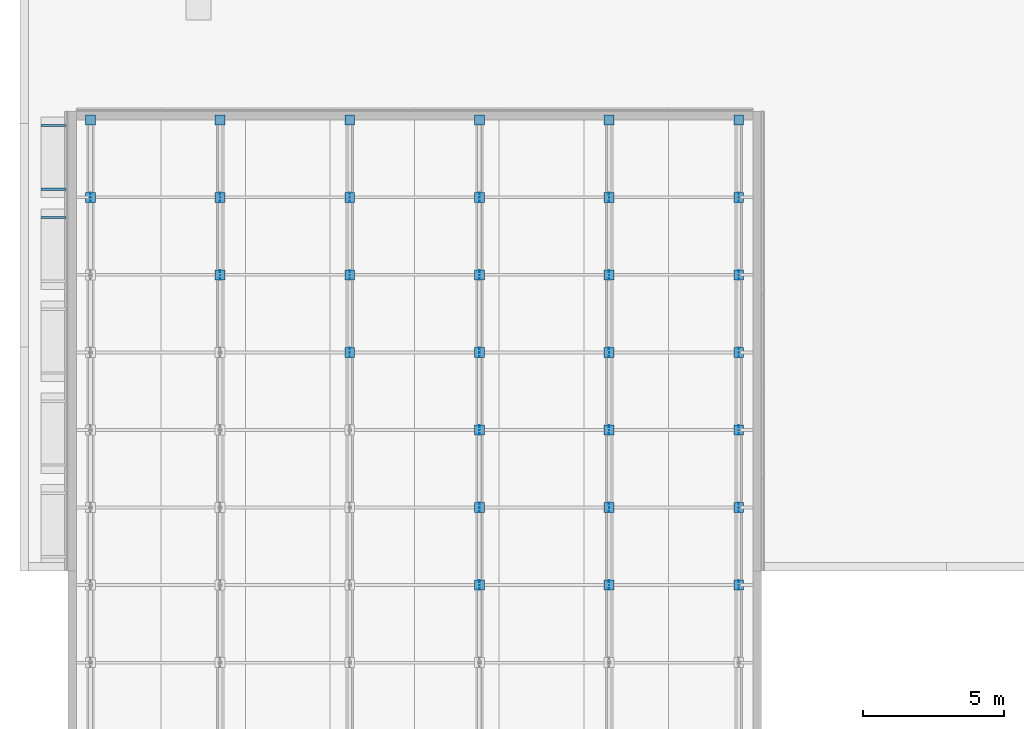
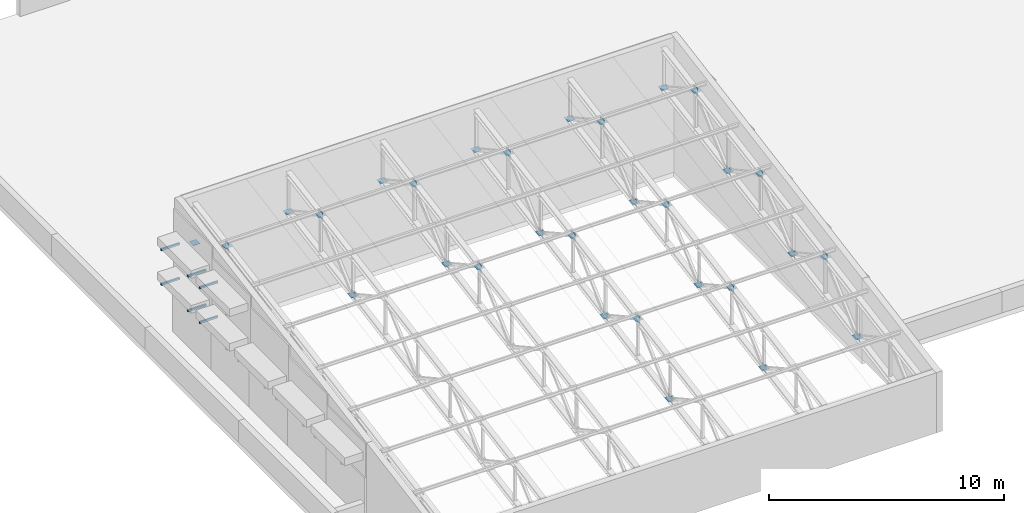
# One storey, part 16 of 22: 60 discrete accessories.
"""IFC4 building model written with IfcOpenShell, lengths in metres."""

import ifcopenshell
import ifcopenshell.guid

model = None  # the IFC model being written
_history = None  # IfcOwnerHistory: only IFC2X3 demands one
_inside = {}  # id of a spatial element -> (the spatial element, [elements in it])
_under = {}  # id of a project, library or spatial element -> (it, [spatial elements below it])
_declared = {}  # id of a project -> (the project, [libraries it declares])
_typed = {}  # id of a type object -> (the type object, [elements of that type])
_made_of = {}  # id of a material, layer set ... -> (it, [elements and type objects made of it])


def new_model(schema):
    """Start an empty IFC model of exactly this schema.

    Asked for "IFC4X3", IfcOpenShell would pick the latest addendum, in which some entities
    have other attributes; the version numbers below select the first issue.
    IFC2X3 requires an IfcOwnerHistory on every rooted entity: one is made here for all.
    """
    global model, _history
    if schema == "IFC4X3":
        model = ifcopenshell.file(schema_version=(4, 3, 0, 0))
    else:
        model = ifcopenshell.file(schema=schema)
    _inside.clear()
    _under.clear()
    _declared.clear()
    _typed.clear()
    _made_of.clear()
    _history = None
    if model.schema == "IFC2X3":
        org = make("IfcOrganization", Name="unknown")
        user = make(
            "IfcPersonAndOrganization",
            ThePerson=make("IfcPerson", FamilyName="unknown"),
            TheOrganization=org,
        )
        app = make(
            "IfcApplication",
            ApplicationDeveloper=org,
            Version="unknown",
            ApplicationFullName="unknown",
            ApplicationIdentifier="unknown",
        )
        _history = make(
            "IfcOwnerHistory",
            OwningUser=user,
            OwningApplication=app,
            ChangeAction="ADDED",
            CreationDate=0,
        )
    return model


def make(cls, **values):
    """One entity of the class cls with the attributes given. An attribute that is None is left unset."""
    return model.create_entity(
        cls, **{name: value for name, value in values.items() if value is not None}
    )


def rooted(cls, **values):
    """An entity with a GlobalId (a new one), such as an element, a storey or a relation."""
    return make(cls, GlobalId=ifcopenshell.guid.new(), OwnerHistory=_history, **values)


def si_unit(unit_type, name, prefix=None):
    """IfcSIUnit, for example si_unit("LENGTHUNIT", "METRE", prefix="MILLI")."""
    return make("IfcSIUnit", UnitType=unit_type, Prefix=prefix, Name=name)


def assignment(units):
    """IfcUnitAssignment: the units of a project."""
    return None if units is None else make("IfcUnitAssignment", Units=units)


def point(xyz):
    """IfcCartesianPoint."""
    return None if xyz is None else make("IfcCartesianPoint", Coordinates=xyz)


def direction(xyz):
    """IfcDirection."""
    return None if xyz is None else make("IfcDirection", DirectionRatios=xyz)


def frame(location, z_axis=None, x_axis=None):
    """IfcAxis2Placement3D, a coordinate frame: its origin and axes. An axis left out is left unset."""
    return make(
        "IfcAxis2Placement3D",
        Location=point(location),
        Axis=direction(z_axis),
        RefDirection=direction(x_axis),
    )


def frame_2d(location, x_axis=None):
    """IfcAxis2Placement2D, a coordinate frame in the plane: its origin and x axis."""
    return make(
        "IfcAxis2Placement2D", Location=point(location), RefDirection=direction(x_axis)
    )


def origin():
    """The frame at (0, 0, 0) with its axes left unset."""
    return frame((0.0, 0.0, 0.0))


def origin_2d():
    """The frame at (0, 0) in the plane with its x axis left unset."""
    return frame_2d((0.0, 0.0))


def place(relative_to, where):
    """IfcLocalPlacement: puts the frame where relative to a parent placement (None: the world)."""
    return make(
        "IfcLocalPlacement", PlacementRelTo=relative_to, RelativePlacement=where
    )


def context(
    kind, dimensions, precision=None, world=None, true_north=None, identifier=None
):
    """IfcGeometricRepresentationContext, for example the 3D "Model" context."""
    return make(
        "IfcGeometricRepresentationContext",
        ContextIdentifier=identifier,
        ContextType=kind,
        CoordinateSpaceDimension=dimensions,
        Precision=precision,
        WorldCoordinateSystem=world,
        TrueNorth=true_north,
    )


def subcontext(parent, identifier, kind, view, scale=None):
    """IfcGeometricRepresentationSubContext, for example "Body" below "Model"."""
    return make(
        "IfcGeometricRepresentationSubContext",
        ContextIdentifier=identifier,
        ContextType=kind,
        ParentContext=parent,
        TargetScale=scale,
        TargetView=view,
    )


def project(units=None, contexts=None):
    """IfcProject with its units and contexts."""
    return rooted(
        "IfcProject",
        Name="project",
        RepresentationContexts=contexts,
        UnitsInContext=assignment(units),
    )


def spatial(cls, under=None, at=None, **own):
    """A site, building, storey or space (cls), placed at a placement, below another one or the project."""
    s = rooted(cls, ObjectPlacement=at, **own)
    if under is not None:
        _under.setdefault(under.id(), (under, []))[1].append(s)
    return s


def profile(cls, at=None, kind="AREA", **sizes):
    """A parametric profile (cls). Its sizes go by their IFC names, for example OverallWidth=200.0."""
    return make(cls, ProfileType=kind, Position=at, **sizes)


def rectangle(**sizes):
    """IfcRectangleProfileDef."""
    return profile("IfcRectangleProfileDef", **sizes)


def extrude(swept, where, along, depth):
    """IfcExtrudedAreaSolid: the profile swept, set in the frame where, extruded along a direction by depth."""
    return make(
        "IfcExtrudedAreaSolid",
        SweptArea=swept,
        Position=where,
        ExtrudedDirection=direction(along),
        Depth=depth,
    )


def shape(context_of_items, identifier, shape_type, items):
    """IfcShapeRepresentation: the items that make up one representation, for example the "Body"."""
    return make(
        "IfcShapeRepresentation",
        ContextOfItems=context_of_items,
        RepresentationIdentifier=identifier,
        RepresentationType=shape_type,
        Items=items,
    )


def material(Name=None, Category=None):
    """IfcMaterial."""
    return make("IfcMaterial", Name=Name, Category=Category)


def layer(
    of_material, thickness, ventilated=None, Name=None, Category=None, Priority=None
):
    """IfcMaterialLayer: one layer of a wall or slab, of a material (None: an air gap)."""
    return make(
        "IfcMaterialLayer",
        Material=of_material,
        LayerThickness=thickness,
        IsVentilated=ventilated,
        Name=Name,
        Category=Category,
        Priority=Priority,
    )


def layer_set(layers, Name=None):
    """IfcMaterialLayerSet."""
    return make("IfcMaterialLayerSet", MaterialLayers=layers, LayerSetName=Name)


def made_of(thing, what):
    """Note that an element or type object is made of a material, layer set ...; save() writes the relation."""
    if what is not None:
        _made_of.setdefault(what.id(), (what, []))[1].append(thing)
    return thing


def type_object(cls, material=None, **own):
    """A type object (cls), such as IfcWallType, which elements share."""
    return made_of(rooted(cls, **own), material)


def element(
    cls,
    number,
    at=None,
    inside=None,
    cuts=None,
    type_object=None,
    material=None,
    context=None,
    identifier="Body",
    shape_type=None,
    held_by="IfcProductDefinitionShape",
    body=None,
    shapes=None,
    **own,
):
    """One element of the class cls, such as IfcWall. Its Tag is "e" and its number.

    at: its placement. inside: the storey or other place that contains it. cuts: it is an
    opening in that element (IfcRelVoidsElement). A single representation is given by context,
    identifier, shape_type and body (its items); several are given by shapes. held_by: the class
    of the entity that holds the representations. save() writes the other relations.
    """
    e = rooted(cls, Tag="e%d" % number, ObjectPlacement=at, **own)
    if body is not None:
        shapes = [shape(context, identifier, shape_type, body)]
    if shapes is not None:
        e.Representation = make(held_by, Representations=shapes)
    if inside is not None:
        _inside.setdefault(inside.id(), (inside, []))[1].append(e)
    if cuts is not None:
        rooted(
            "IfcRelVoidsElement", RelatingBuildingElement=cuts, RelatedOpeningElement=e
        )
    if type_object is not None:
        _typed.setdefault(type_object.id(), (type_object, []))[1].append(e)
    return made_of(e, material)


def aggregate(whole, parts):
    """IfcRelAggregates: a whole, such as a stair, and the parts it consists of."""
    return rooted("IfcRelAggregates", RelatingObject=whole, RelatedObjects=parts)


def save(model, path):
    """Write the relations noted so far, then the file.

    IfcRelAggregates (storeys below a building ...), IfcRelContainedInSpatialStructure (elements
    in a storey), IfcRelDefinesByType, IfcRelAssociatesMaterial and IfcRelDeclares: one each for
    every whole, place, type object, material and project.
    """
    for whole, parts in _under.values():
        aggregate(whole, parts)
    for where, things in _inside.values():
        rooted(
            "IfcRelContainedInSpatialStructure",
            RelatedElements=things,
            RelatingStructure=where,
        )
    for kind, things in _typed.values():
        rooted("IfcRelDefinesByType", RelatedObjects=things, RelatingType=kind)
    for what, things in _made_of.values():
        rooted("IfcRelAssociatesMaterial", RelatedObjects=things, RelatingMaterial=what)
    for by, libraries in _declared.values():
        rooted("IfcRelDeclares", RelatingContext=by, RelatedDefinitions=libraries)
    model.write(path)


model = new_model("IFC4")

# Units and contexts
model_context = context("Model", 3, precision=1e-05, world=origin(), true_north=direction((0.0, 1.0)))
body_context = subcontext(model_context, "Body", "Model", "MODEL_VIEW")
ifc_project = project(units=[si_unit("LENGTHUNIT", "METRE"), si_unit("AREAUNIT", "SQUARE_METRE"), si_unit("VOLUMEUNIT", "CUBIC_METRE"), si_unit("PLANEANGLEUNIT", "RADIAN"), si_unit("MASSUNIT", "GRAM", prefix="KILO")], contexts=[model_context])

# Site, building, storey
site_placement = place(None, origin())
site = spatial("IfcSite", under=ifc_project, at=site_placement, CompositionType="ELEMENT")
building_placement = place(site_placement, origin())
building = spatial("IfcBuilding", under=site, at=building_placement, Name="Lunette Opera House", CompositionType="ELEMENT")
storey_placement = place(building_placement, frame((0.0, 0.0, 28.0)))
storey = spatial("IfcBuildingStorey", under=building, at=storey_placement, Name="L05", CompositionType="ELEMENT", Elevation=28.0)

# Discrete accessories
ifc_material_1 = material(Name="Steel S355", Category="steel")
ifc_layer = layer(ifc_material_1, 0.011962890625)
ifc_layer_set = layer_set([ifc_layer], Name="Steel S355")
discrete_accessory_type_1 = type_object("IfcDiscreteAccessoryType", Name="BRACE GUSSET PLATE 12", PredefinedType="USERDEFINED", material=ifc_layer_set)
discrete_accessory_1_placement = place(storey_placement, frame((10.5, 85.25, 5.9140625), z_axis=(0.0, 0.0, 1.0), x_axis=(0.0, 1.0, 0.0)))
element("IfcDiscreteAccessory", 1, at=discrete_accessory_1_placement, inside=storey, type_object=discrete_accessory_type_1, Name="Gusset plate 363", ObjectType="GUSSET PLATE", PredefinedType="USERDEFINED", context=body_context, shape_type="SweptSolid", body=[
    extrude(rectangle(XDim=0.35009765625, YDim=0.011962890625, at=origin_2d()), origin(), (0.0, 0.0, 1.0), 0.35009765625),
])
for number, where, z_axis, x_axis, name in (
    (2, (10.5, 85.25, 6.0830078125), (0.0, 0.0, 1.0), (0.0, 1.0, 0.0), "Gusset plate 364"),
    (3, (10.5, 88.0, 4.56787109375), (0.0, 0.0, 1.0), (0.0, 1.0, 0.0), "Gusset plate 365"),
    (4, (15.10009765625, 82.5, 3.59814453125), (0.0, 0.0, 1.0), (0.0, 1.0, 0.0), "Gusset plate 377"),
):
    element("IfcDiscreteAccessory", number, at=place(storey_placement, frame(where, z_axis=z_axis, x_axis=x_axis)), inside=storey, type_object=discrete_accessory_type_1, Name=name, ObjectType="GUSSET PLATE", PredefinedType="USERDEFINED", context=body_context, shape_type="SweptSolid", body=[
        extrude(rectangle(XDim=0.35009765625, YDim=0.35009765625, at=origin_2d()), origin(), (0.0, 0.0, 1.0), 0.011962890625),
    ])
for number, where, z_axis, x_axis, name in (
    (5, (15.10009765625, 82.5, 3.428955078125), (0.0, 0.0, 1.0), (0.0, 1.0, 0.0), "Gusset plate 378"),
    (6, (15.10009765625, 85.25, 5.9140625), (0.0, 0.0, 1.0), (0.0, 1.0, 0.0), "Gusset plate 379"),
):
    element("IfcDiscreteAccessory", number, at=place(storey_placement, frame(where, z_axis=z_axis, x_axis=x_axis)), inside=storey, type_object=discrete_accessory_type_1, Name=name, ObjectType="GUSSET PLATE", PredefinedType="USERDEFINED", context=body_context, shape_type="SweptSolid", body=[
        extrude(rectangle(XDim=0.35009765625, YDim=0.011962890625, at=origin_2d()), origin(), (0.0, 0.0, 1.0), 0.35009765625),
    ])
for number, where, z_axis, x_axis, name in (
    (7, (15.10009765625, 85.25, 6.0830078125), (0.0, 0.0, 1.0), (0.0, 1.0, 0.0), "Gusset plate 380"),
    (8, (15.10009765625, 88.0, 4.56787109375), (0.0, 0.0, 1.0), (0.0, 1.0, 0.0), "Gusset plate 381"),
):
    element("IfcDiscreteAccessory", number, at=place(storey_placement, frame(where, z_axis=z_axis, x_axis=x_axis)), inside=storey, type_object=discrete_accessory_type_1, Name=name, ObjectType="GUSSET PLATE", PredefinedType="USERDEFINED", context=body_context, shape_type="SweptSolid", body=[
        extrude(rectangle(XDim=0.35009765625, YDim=0.35009765625, at=origin_2d()), origin(), (0.0, 0.0, 1.0), 0.011962890625),
    ])
discrete_accessory_2_placement = place(storey_placement, frame((19.699951171875, 79.75, 4.94384765625), z_axis=(0.0, 0.0, 1.0), x_axis=(0.0, 1.0, 0.0)))
element("IfcDiscreteAccessory", 9, at=discrete_accessory_2_placement, inside=storey, type_object=discrete_accessory_type_1, Name="Gusset plate 391", ObjectType="GUSSET PLATE", PredefinedType="USERDEFINED", context=body_context, shape_type="SweptSolid", body=[
    extrude(rectangle(XDim=0.35009765625, YDim=0.011962890625, at=origin_2d()), origin(), (0.0, 0.0, 1.0), 0.35009765625),
])
for number, where, z_axis, x_axis, name in (
    (10, (19.699951171875, 79.75, 5.11279296875), (0.0, 0.0, 1.0), (0.0, 1.0, 0.0), "Gusset plate 392"),
    (11, (19.699951171875, 82.5, 3.59814453125), (0.0, 0.0, 1.0), (0.0, 1.0, 0.0), "Gusset plate 393"),
):
    element("IfcDiscreteAccessory", number, at=place(storey_placement, frame(where, z_axis=z_axis, x_axis=x_axis)), inside=storey, type_object=discrete_accessory_type_1, Name=name, ObjectType="GUSSET PLATE", PredefinedType="USERDEFINED", context=body_context, shape_type="SweptSolid", body=[
        extrude(rectangle(XDim=0.35009765625, YDim=0.35009765625, at=origin_2d()), origin(), (0.0, 0.0, 1.0), 0.011962890625),
    ])
for number, where, z_axis, x_axis, name in (
    (12, (19.699951171875, 82.5, 3.428955078125), (0.0, 0.0, 1.0), (0.0, 1.0, 0.0), "Gusset plate 394"),
    (13, (19.699951171875, 85.25, 5.9140625), (0.0, 0.0, 1.0), (0.0, 1.0, 0.0), "Gusset plate 395"),
):
    element("IfcDiscreteAccessory", number, at=place(storey_placement, frame(where, z_axis=z_axis, x_axis=x_axis)), inside=storey, type_object=discrete_accessory_type_1, Name=name, ObjectType="GUSSET PLATE", PredefinedType="USERDEFINED", context=body_context, shape_type="SweptSolid", body=[
        extrude(rectangle(XDim=0.35009765625, YDim=0.011962890625, at=origin_2d()), origin(), (0.0, 0.0, 1.0), 0.35009765625),
    ])
for number, where, z_axis, x_axis, name in (
    (14, (19.699951171875, 85.25, 6.0830078125), (0.0, 0.0, 1.0), (0.0, 1.0, 0.0), "Gusset plate 396"),
    (15, (19.699951171875, 88.0, 4.56787109375), (0.0, 0.0, 1.0), (0.0, 1.0, 0.0), "Gusset plate 397"),
    (16, (24.300048828125, 71.5, 1.6591796875), (0.0, 0.0, 1.0), (0.0, 1.0, 0.0), "Gusset plate 401"),
):
    element("IfcDiscreteAccessory", number, at=place(storey_placement, frame(where, z_axis=z_axis, x_axis=x_axis)), inside=storey, type_object=discrete_accessory_type_1, Name=name, ObjectType="GUSSET PLATE", PredefinedType="USERDEFINED", context=body_context, shape_type="SweptSolid", body=[
        extrude(rectangle(XDim=0.35009765625, YDim=0.35009765625, at=origin_2d()), origin(), (0.0, 0.0, 1.0), 0.011962890625),
    ])
for number, where, z_axis, x_axis, name in (
    (17, (24.300048828125, 71.5, 1.489990234375), (0.0, 0.0, 1.0), (0.0, 1.0, 0.0), "Gusset plate 402"),
    (18, (24.300048828125, 74.25, 3.974853515625), (0.0, 0.0, 1.0), (0.0, 1.0, 0.0), "Gusset plate 403"),
):
    element("IfcDiscreteAccessory", number, at=place(storey_placement, frame(where, z_axis=z_axis, x_axis=x_axis)), inside=storey, type_object=discrete_accessory_type_1, Name=name, ObjectType="GUSSET PLATE", PredefinedType="USERDEFINED", context=body_context, shape_type="SweptSolid", body=[
        extrude(rectangle(XDim=0.35009765625, YDim=0.011962890625, at=origin_2d()), origin(), (0.0, 0.0, 1.0), 0.35009765625),
    ])
for number, where, z_axis, x_axis, name in (
    (19, (24.300048828125, 74.25, 4.14404296875), (0.0, 0.0, 1.0), (0.0, 1.0, 0.0), "Gusset plate 404"),
    (20, (24.300048828125, 77.0, 2.62890625), (0.0, 0.0, 1.0), (0.0, 1.0, 0.0), "Gusset plate 405"),
):
    element("IfcDiscreteAccessory", number, at=place(storey_placement, frame(where, z_axis=z_axis, x_axis=x_axis)), inside=storey, type_object=discrete_accessory_type_1, Name=name, ObjectType="GUSSET PLATE", PredefinedType="USERDEFINED", context=body_context, shape_type="SweptSolid", body=[
        extrude(rectangle(XDim=0.35009765625, YDim=0.35009765625, at=origin_2d()), origin(), (0.0, 0.0, 1.0), 0.011962890625),
    ])
for number, where, z_axis, x_axis, name in (
    (21, (24.300048828125, 77.0, 2.4599609375), (0.0, 0.0, 1.0), (0.0, 1.0, 0.0), "Gusset plate 406"),
    (22, (24.300048828125, 79.75, 4.94384765625), (0.0, 0.0, 1.0), (0.0, 1.0, 0.0), "Gusset plate 407"),
):
    element("IfcDiscreteAccessory", number, at=place(storey_placement, frame(where, z_axis=z_axis, x_axis=x_axis)), inside=storey, type_object=discrete_accessory_type_1, Name=name, ObjectType="GUSSET PLATE", PredefinedType="USERDEFINED", context=body_context, shape_type="SweptSolid", body=[
        extrude(rectangle(XDim=0.35009765625, YDim=0.011962890625, at=origin_2d()), origin(), (0.0, 0.0, 1.0), 0.35009765625),
    ])
for number, where, z_axis, x_axis, name in (
    (23, (24.300048828125, 79.75, 5.11279296875), (0.0, 0.0, 1.0), (0.0, 1.0, 0.0), "Gusset plate 408"),
    (24, (24.300048828125, 82.5, 3.59814453125), (0.0, 0.0, 1.0), (0.0, 1.0, 0.0), "Gusset plate 409"),
):
    element("IfcDiscreteAccessory", number, at=place(storey_placement, frame(where, z_axis=z_axis, x_axis=x_axis)), inside=storey, type_object=discrete_accessory_type_1, Name=name, ObjectType="GUSSET PLATE", PredefinedType="USERDEFINED", context=body_context, shape_type="SweptSolid", body=[
        extrude(rectangle(XDim=0.35009765625, YDim=0.35009765625, at=origin_2d()), origin(), (0.0, 0.0, 1.0), 0.011962890625),
    ])
for number, where, z_axis, x_axis, name in (
    (25, (24.300048828125, 82.5, 3.428955078125), (0.0, 0.0, 1.0), (0.0, 1.0, 0.0), "Gusset plate 410"),
    (26, (24.300048828125, 85.25, 5.9140625), (0.0, 0.0, 1.0), (0.0, 1.0, 0.0), "Gusset plate 411"),
):
    element("IfcDiscreteAccessory", number, at=place(storey_placement, frame(where, z_axis=z_axis, x_axis=x_axis)), inside=storey, type_object=discrete_accessory_type_1, Name=name, ObjectType="GUSSET PLATE", PredefinedType="USERDEFINED", context=body_context, shape_type="SweptSolid", body=[
        extrude(rectangle(XDim=0.35009765625, YDim=0.011962890625, at=origin_2d()), origin(), (0.0, 0.0, 1.0), 0.35009765625),
    ])
for number, where, z_axis, x_axis, name in (
    (27, (24.300048828125, 85.25, 6.0830078125), (0.0, 0.0, 1.0), (0.0, 1.0, 0.0), "Gusset plate 412"),
    (28, (24.300048828125, 88.0, 4.56787109375), (0.0, 0.0, 1.0), (0.0, 1.0, 0.0), "Gusset plate 413"),
    (29, (28.89990234375, 71.5, 1.6591796875), (0.0, 0.0, 1.0), (0.0, 1.0, 0.0), "Gusset plate 417"),
):
    element("IfcDiscreteAccessory", number, at=place(storey_placement, frame(where, z_axis=z_axis, x_axis=x_axis)), inside=storey, type_object=discrete_accessory_type_1, Name=name, ObjectType="GUSSET PLATE", PredefinedType="USERDEFINED", context=body_context, shape_type="SweptSolid", body=[
        extrude(rectangle(XDim=0.35009765625, YDim=0.35009765625, at=origin_2d()), origin(), (0.0, 0.0, 1.0), 0.011962890625),
    ])
for number, where, z_axis, x_axis, name in (
    (30, (28.89990234375, 71.5, 1.489990234375), (0.0, 0.0, 1.0), (0.0, 1.0, 0.0), "Gusset plate 418"),
    (31, (28.89990234375, 74.25, 3.974853515625), (0.0, 0.0, 1.0), (0.0, 1.0, 0.0), "Gusset plate 419"),
):
    element("IfcDiscreteAccessory", number, at=place(storey_placement, frame(where, z_axis=z_axis, x_axis=x_axis)), inside=storey, type_object=discrete_accessory_type_1, Name=name, ObjectType="GUSSET PLATE", PredefinedType="USERDEFINED", context=body_context, shape_type="SweptSolid", body=[
        extrude(rectangle(XDim=0.35009765625, YDim=0.011962890625, at=origin_2d()), origin(), (0.0, 0.0, 1.0), 0.35009765625),
    ])
for number, where, z_axis, x_axis, name in (
    (32, (28.89990234375, 74.25, 4.14404296875), (0.0, 0.0, 1.0), (0.0, 1.0, 0.0), "Gusset plate 420"),
    (33, (28.89990234375, 77.0, 2.62890625), (0.0, 0.0, 1.0), (0.0, 1.0, 0.0), "Gusset plate 421"),
):
    element("IfcDiscreteAccessory", number, at=place(storey_placement, frame(where, z_axis=z_axis, x_axis=x_axis)), inside=storey, type_object=discrete_accessory_type_1, Name=name, ObjectType="GUSSET PLATE", PredefinedType="USERDEFINED", context=body_context, shape_type="SweptSolid", body=[
        extrude(rectangle(XDim=0.35009765625, YDim=0.35009765625, at=origin_2d()), origin(), (0.0, 0.0, 1.0), 0.011962890625),
    ])
for number, where, z_axis, x_axis, name in (
    (34, (28.89990234375, 77.0, 2.4599609375), (0.0, 0.0, 1.0), (0.0, 1.0, 0.0), "Gusset plate 422"),
    (35, (28.89990234375, 79.75, 4.94384765625), (0.0, 0.0, 1.0), (0.0, 1.0, 0.0), "Gusset plate 423"),
):
    element("IfcDiscreteAccessory", number, at=place(storey_placement, frame(where, z_axis=z_axis, x_axis=x_axis)), inside=storey, type_object=discrete_accessory_type_1, Name=name, ObjectType="GUSSET PLATE", PredefinedType="USERDEFINED", context=body_context, shape_type="SweptSolid", body=[
        extrude(rectangle(XDim=0.35009765625, YDim=0.011962890625, at=origin_2d()), origin(), (0.0, 0.0, 1.0), 0.35009765625),
    ])
for number, where, z_axis, x_axis, name in (
    (36, (28.89990234375, 79.75, 5.11279296875), (0.0, 0.0, 1.0), (0.0, 1.0, 0.0), "Gusset plate 424"),
    (37, (28.89990234375, 82.5, 3.59814453125), (0.0, 0.0, 1.0), (0.0, 1.0, 0.0), "Gusset plate 425"),
):
    element("IfcDiscreteAccessory", number, at=place(storey_placement, frame(where, z_axis=z_axis, x_axis=x_axis)), inside=storey, type_object=discrete_accessory_type_1, Name=name, ObjectType="GUSSET PLATE", PredefinedType="USERDEFINED", context=body_context, shape_type="SweptSolid", body=[
        extrude(rectangle(XDim=0.35009765625, YDim=0.35009765625, at=origin_2d()), origin(), (0.0, 0.0, 1.0), 0.011962890625),
    ])
for number, where, z_axis, x_axis, name in (
    (38, (28.89990234375, 82.5, 3.428955078125), (0.0, 0.0, 1.0), (0.0, 1.0, 0.0), "Gusset plate 426"),
    (39, (28.89990234375, 85.25, 5.9140625), (0.0, 0.0, 1.0), (0.0, 1.0, 0.0), "Gusset plate 427"),
):
    element("IfcDiscreteAccessory", number, at=place(storey_placement, frame(where, z_axis=z_axis, x_axis=x_axis)), inside=storey, type_object=discrete_accessory_type_1, Name=name, ObjectType="GUSSET PLATE", PredefinedType="USERDEFINED", context=body_context, shape_type="SweptSolid", body=[
        extrude(rectangle(XDim=0.35009765625, YDim=0.011962890625, at=origin_2d()), origin(), (0.0, 0.0, 1.0), 0.35009765625),
    ])
for number, where, z_axis, x_axis, name in (
    (40, (28.89990234375, 85.25, 6.0830078125), (0.0, 0.0, 1.0), (0.0, 1.0, 0.0), "Gusset plate 428"),
    (41, (28.89990234375, 88.0, 4.56787109375), (0.0, 0.0, 1.0), (0.0, 1.0, 0.0), "Gusset plate 429"),
    (42, (33.5, 71.5, 1.6591796875), (0.0, 0.0, 1.0), (0.0, 1.0, 0.0), "Gusset plate 433"),
):
    element("IfcDiscreteAccessory", number, at=place(storey_placement, frame(where, z_axis=z_axis, x_axis=x_axis)), inside=storey, type_object=discrete_accessory_type_1, Name=name, ObjectType="GUSSET PLATE", PredefinedType="USERDEFINED", context=body_context, shape_type="SweptSolid", body=[
        extrude(rectangle(XDim=0.35009765625, YDim=0.35009765625, at=origin_2d()), origin(), (0.0, 0.0, 1.0), 0.011962890625),
    ])
for number, where, z_axis, x_axis, name in (
    (43, (33.5, 71.5, 1.489990234375), (0.0, 0.0, 1.0), (0.0, 1.0, 0.0), "Gusset plate 434"),
    (44, (33.5, 74.25, 3.974853515625), (0.0, 0.0, 1.0), (0.0, 1.0, 0.0), "Gusset plate 435"),
):
    element("IfcDiscreteAccessory", number, at=place(storey_placement, frame(where, z_axis=z_axis, x_axis=x_axis)), inside=storey, type_object=discrete_accessory_type_1, Name=name, ObjectType="GUSSET PLATE", PredefinedType="USERDEFINED", context=body_context, shape_type="SweptSolid", body=[
        extrude(rectangle(XDim=0.35009765625, YDim=0.011962890625, at=origin_2d()), origin(), (0.0, 0.0, 1.0), 0.35009765625),
    ])
for number, where, z_axis, x_axis, name in (
    (45, (33.5, 74.25, 4.14404296875), (0.0, 0.0, 1.0), (0.0, 1.0, 0.0), "Gusset plate 436"),
    (46, (33.5, 77.0, 2.62890625), (0.0, 0.0, 1.0), (0.0, 1.0, 0.0), "Gusset plate 437"),
):
    element("IfcDiscreteAccessory", number, at=place(storey_placement, frame(where, z_axis=z_axis, x_axis=x_axis)), inside=storey, type_object=discrete_accessory_type_1, Name=name, ObjectType="GUSSET PLATE", PredefinedType="USERDEFINED", context=body_context, shape_type="SweptSolid", body=[
        extrude(rectangle(XDim=0.35009765625, YDim=0.35009765625, at=origin_2d()), origin(), (0.0, 0.0, 1.0), 0.011962890625),
    ])
for number, where, z_axis, x_axis, name in (
    (47, (33.5, 77.0, 2.4599609375), (0.0, 0.0, 1.0), (0.0, 1.0, 0.0), "Gusset plate 438"),
    (48, (33.5, 79.75, 4.94384765625), (0.0, 0.0, 1.0), (0.0, 1.0, 0.0), "Gusset plate 439"),
):
    element("IfcDiscreteAccessory", number, at=place(storey_placement, frame(where, z_axis=z_axis, x_axis=x_axis)), inside=storey, type_object=discrete_accessory_type_1, Name=name, ObjectType="GUSSET PLATE", PredefinedType="USERDEFINED", context=body_context, shape_type="SweptSolid", body=[
        extrude(rectangle(XDim=0.35009765625, YDim=0.011962890625, at=origin_2d()), origin(), (0.0, 0.0, 1.0), 0.35009765625),
    ])
for number, where, z_axis, x_axis, name in (
    (49, (33.5, 79.75, 5.11279296875), (0.0, 0.0, 1.0), (0.0, 1.0, 0.0), "Gusset plate 440"),
    (50, (33.5, 82.5, 3.59814453125), (0.0, 0.0, 1.0), (0.0, 1.0, 0.0), "Gusset plate 441"),
):
    element("IfcDiscreteAccessory", number, at=place(storey_placement, frame(where, z_axis=z_axis, x_axis=x_axis)), inside=storey, type_object=discrete_accessory_type_1, Name=name, ObjectType="GUSSET PLATE", PredefinedType="USERDEFINED", context=body_context, shape_type="SweptSolid", body=[
        extrude(rectangle(XDim=0.35009765625, YDim=0.35009765625, at=origin_2d()), origin(), (0.0, 0.0, 1.0), 0.011962890625),
    ])
for number, where, z_axis, x_axis, name in (
    (51, (33.5, 82.5, 3.428955078125), (0.0, 0.0, 1.0), (0.0, 1.0, 0.0), "Gusset plate 442"),
    (52, (33.5, 85.25, 5.9140625), (0.0, 0.0, 1.0), (0.0, 1.0, 0.0), "Gusset plate 443"),
):
    element("IfcDiscreteAccessory", number, at=place(storey_placement, frame(where, z_axis=z_axis, x_axis=x_axis)), inside=storey, type_object=discrete_accessory_type_1, Name=name, ObjectType="GUSSET PLATE", PredefinedType="USERDEFINED", context=body_context, shape_type="SweptSolid", body=[
        extrude(rectangle(XDim=0.35009765625, YDim=0.011962890625, at=origin_2d()), origin(), (0.0, 0.0, 1.0), 0.35009765625),
    ])
for number, where, z_axis, x_axis, name in (
    (53, (33.5, 85.25, 6.0830078125), (0.0, 0.0, 1.0), (0.0, 1.0, 0.0), "Gusset plate 444"),
    (54, (33.5, 88.0, 4.56787109375), (0.0, 0.0, 1.0), (0.0, 1.0, 0.0), "Gusset plate 445"),
):
    element("IfcDiscreteAccessory", number, at=place(storey_placement, frame(where, z_axis=z_axis, x_axis=x_axis)), inside=storey, type_object=discrete_accessory_type_1, Name=name, ObjectType="GUSSET PLATE", PredefinedType="USERDEFINED", context=body_context, shape_type="SweptSolid", body=[
        extrude(rectangle(XDim=0.35009765625, YDim=0.35009765625, at=origin_2d()), origin(), (0.0, 0.0, 1.0), 0.011962890625),
    ])
ifc_material_2 = material(Name="Galvanised steel", Category="steel")
discrete_accessory_type_2 = type_object("IfcDiscreteAccessoryType", Name="FIN BRACKET STEEL", PredefinedType="BRACKET", material=ifc_material_2)
for number, where, z_axis, x_axis, name in (
    (55, (9.18994140625, 84.5400390625, 3.099853515625), (0.0, 0.0, 1.0), (-1.0, 0.0, 0.0), "Blade bracket loft W3 3 2"),
    (56, (9.18994140625, 84.5400390625, 4.89990234375), (0.0, 0.0, 1.0), (-1.0, 0.0, 0.0), "Blade bracket loft W3 3 2"),
    (57, (9.18994140625, 85.5400390625, 3.099853515625), (0.0, 0.0, 1.0), (-1.0, 0.0, 0.0), "Blade bracket loft W3 4 1"),
    (58, (9.18994140625, 87.800048828125, 3.099853515625), (0.0, 0.0, 1.0), (-1.0, 0.0, 0.0), "Blade bracket loft W3 4 2"),
    (59, (9.18994140625, 85.5400390625, 4.89990234375), (0.0, 0.0, 1.0), (-1.0, 0.0, 0.0), "Blade bracket loft W3 4 1"),
    (60, (9.18994140625, 87.800048828125, 4.89990234375), (0.0, 0.0, 1.0), (-1.0, 0.0, 0.0), "Blade bracket loft W3 4 2"),
):
    element("IfcDiscreteAccessory", number, at=place(storey_placement, frame(where, z_axis=z_axis, x_axis=x_axis)), inside=storey, type_object=discrete_accessory_type_2, Name=name, PredefinedType="BRACKET", context=body_context, shape_type="SweptSolid", body=[
        extrude(rectangle(XDim=0.89990234375, YDim=0.080078125, at=origin_2d()), origin(), (0.0, 0.0, 1.0), 0.10009765625),
    ])

save(model, "model.ifc")
